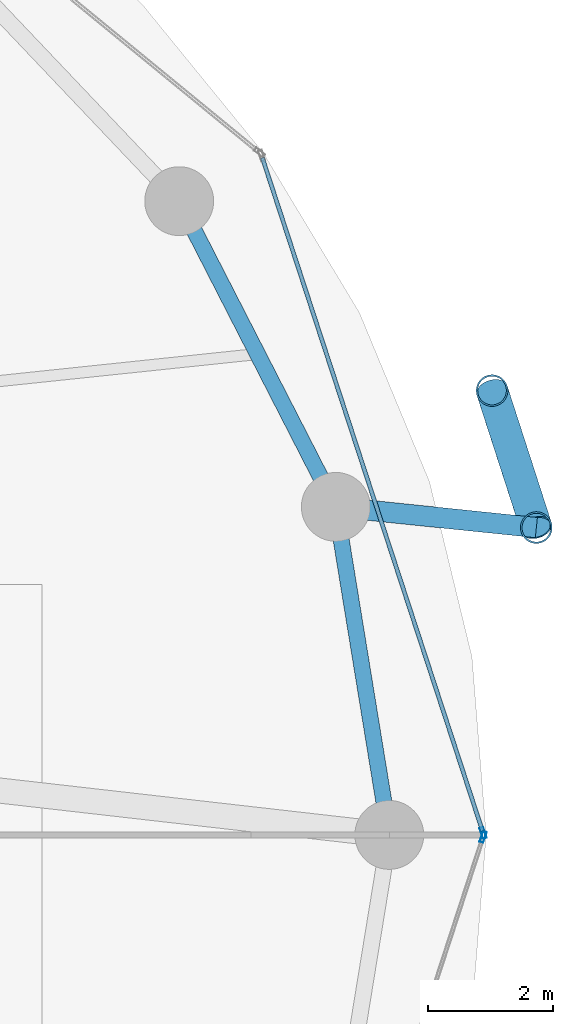
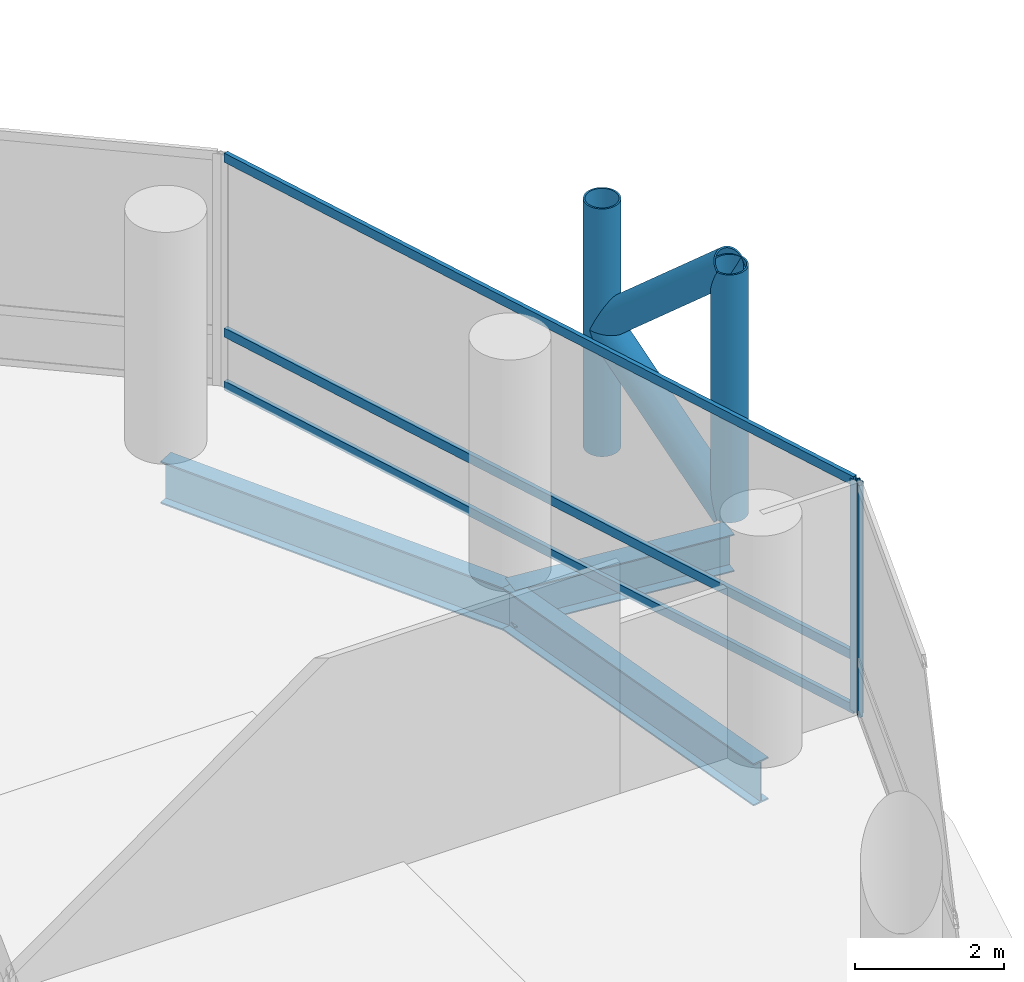
# One storey, part 12 of 24: 9 members, 3 beams, 2 elements without a shape of their own.
"""IFC4 building model written with IfcOpenShell, lengths in metres."""

from ifc_helpers import new_model, si_unit, direction, frame, origin, origin_2d, place, context, subcontext, project, spatial, hollow_rectangle, hollow_circle, i_section, extrude, material, layer, layer_set, material_profile, profile_set, type_object, element, aggregate, save


model = new_model("IFC4")

# Units and contexts
model_context = context("Model", 3, precision=1e-05, world=origin(), true_north=direction((0.0, 1.0)))
body_context = subcontext(model_context, "Body", "Model", "MODEL_VIEW")
ifc_project = project(units=[si_unit("LENGTHUNIT", "METRE"), si_unit("AREAUNIT", "SQUARE_METRE"), si_unit("VOLUMEUNIT", "CUBIC_METRE"), si_unit("PLANEANGLEUNIT", "RADIAN"), si_unit("MASSUNIT", "GRAM", prefix="KILO")], contexts=[model_context])

# Site, building, storey
site_placement = place(None, origin())
site = spatial("IfcSite", under=ifc_project, at=site_placement, CompositionType="ELEMENT")
building_placement = place(site_placement, origin())
building = spatial("IfcBuilding", under=site, at=building_placement, Name="Nuhasar Tower", CompositionType="ELEMENT")
storey_placement = place(building_placement, frame((0.0, 0.0, 37.199951171875)))
storey = spatial("IfcBuildingStorey", under=building, at=storey_placement, Name="L08", CompositionType="ELEMENT", Elevation=37.199951171875)

# Beams
ifc_material_1 = material(Name="Steel S355", Category="steel")
ifc_material_profile_1 = material_profile(ifc_material_1, i_section(OverallWidth=0.256103515625, OverallDepth=0.693115234375, WebThickness=0.014404296875, FlangeThickness=0.023681640625, at=origin_2d()), Name="W27X114")
ifc_profile_set_1 = profile_set([ifc_material_profile_1], Name="Steel S355")
beam_type_1 = type_object("IfcBeamType", Name="BM-RING-W27X114", PredefinedType="SPANDREL", material=ifc_profile_set_1)
beam_1_placement = place(storey_placement, frame((64.050048828125, 26.800048828125, -0.60693359375), z_axis=(-0.160826635486, 0.986982671235, 0.0), x_axis=(-0.986982671235, -0.160826635486, 0.0)))
element("IfcBeam", 1, at=beam_1_placement, inside=storey, type_object=beam_type_1, Name="L08 Perimeter Ring Spandrel 01", PredefinedType="SPANDREL", context=body_context, shape_type="SweptSolid", body=[
    extrude(i_section(OverallWidth=0.256103515625, OverallDepth=0.693115234375, WebThickness=0.014404296875, FlangeThickness=0.023681640625, at=origin_2d()), origin(), (0.0, 0.0, 1.0), 5.31005859375),
])
beam_2_placement = place(storey_placement, frame((63.196044921875, 32.041015625, -0.60693359375), z_axis=(-0.455930023905, 0.890015625314, 0.0), x_axis=(-0.890015625314, -0.455930023905, 0.0)))
element("IfcBeam", 2, at=beam_2_placement, inside=storey, type_object=beam_type_1, Name="L08 Perimeter Ring Spandrel 02", PredefinedType="SPANDREL", context=body_context, shape_type="SweptSolid", body=[
    extrude(i_section(OverallWidth=0.256103515625, OverallDepth=0.693115234375, WebThickness=0.014404296875, FlangeThickness=0.023681640625, at=origin_2d()), origin(), (0.0, 0.0, 1.0), 5.487548828125),
])
ifc_material_profile_2 = material_profile(ifc_material_1, i_section(OverallWidth=0.323974609375, OverallDepth=0.611083984375, WebThickness=0.0126953125, FlangeThickness=0.01904296875, at=origin_2d()), Name="W24X104")
ifc_profile_set_2 = profile_set([ifc_material_profile_2], Name="Steel S355")
beam_type_2 = type_object("IfcBeamType", Name="BM-TIE-W24X104", PredefinedType="BEAM", material=ifc_profile_set_2)
beam_3_placement = place(storey_placement, frame((63.196044921875, 32.041015625, -0.56591796875), z_axis=(0.994703825606, -0.102782777377, 0.0), x_axis=(0.102782777377, 0.994703825606, 0.0)))
element("IfcBeam", 3, at=beam_3_placement, inside=storey, type_object=beam_type_2, Name="L08 Exoskeleton Node Tie Beam 01", PredefinedType="BEAM", context=body_context, shape_type="SweptSolid", body=[
    extrude(i_section(OverallWidth=0.323974609375, OverallDepth=0.611083984375, WebThickness=0.0126953125, FlangeThickness=0.01904296875, at=origin_2d()), origin(), (0.0, 0.0, 1.0), 3.220947265625),
])

# Curtain wall, member
ifc_material_2 = material(Name="Aluminium 6063-T6", Category="aluminium")
ifc_layer = layer(ifc_material_2, 0.199951171875)
ifc_layer_set = layer_set([ifc_layer], Name="Aluminium 6063-T6")
curtain_wall_type = type_object("IfcCurtainWallType", Name="CW-Z1-OFF", PredefinedType="NOTDEFINED", material=ifc_layer_set)
curtain_wall_1_placement = place(storey_placement, origin())
curtain_wall_1 = element("IfcCurtainWall", 4, at=curtain_wall_1_placement, inside=storey, type_object=curtain_wall_type, Name="L08 Unitised Curtain Wall 01", PredefinedType="NOTDEFINED")
ifc_material_profile_3 = material_profile(ifc_material_2, hollow_rectangle(XDim=0.06494140625, YDim=0.179931640625, WallThickness=0.0048828125, at=origin_2d()), Name="CWM-2")
ifc_profile_set_3 = profile_set([ifc_material_profile_3], Name="Aluminium 6063-T6")
member_type_1 = type_object("IfcMemberType", Name="CW-MUL-S2", PredefinedType="MULLION", material=ifc_profile_set_3)
member_1_placement = place(storey_placement, frame((65.5498046875, 26.830810546875, 0.0), z_axis=(0.0, 0.0, 1.0), x_axis=(-0.950467534571, -0.310823849997, 0.0)))
member_1 = element("IfcMember", 5, at=member_1_placement, type_object=member_type_1, Name="CW-Z1 mullion 1", PredefinedType="MULLION", context=body_context, shape_type="SweptSolid", body=[
    extrude(hollow_rectangle(XDim=0.06494140625, YDim=0.179931640625, WallThickness=0.0048828125, at=origin_2d()), origin(), (0.0, 0.0, 1.0), 3.7900390625),
])

curtain_wall_2_placement = place(storey_placement, origin())
curtain_wall_2 = element("IfcCurtainWall", 6, at=curtain_wall_2_placement, inside=storey, type_object=curtain_wall_type, Name="L08 Unitised Curtain Wall 12", PredefinedType="NOTDEFINED")
member_2_placement = place(storey_placement, frame((65.5498046875, 26.76904296875, 0.0), z_axis=(0.0, 0.0, 1.0), x_axis=(-0.950467534571, 0.310823849997, 0.0)))
member_2 = element("IfcMember", 7, at=member_2_placement, type_object=member_type_1, Name="CW-Z1 mullion 2", PredefinedType="MULLION", context=body_context, shape_type="SweptSolid", body=[
    extrude(hollow_rectangle(XDim=0.06494140625, YDim=0.179931640625, WallThickness=0.0048828125, at=origin_2d()), origin(), (0.0, 0.0, 1.0), 3.7900390625),
])
aggregate(curtain_wall_2, [member_2])

# Member
ifc_material_profile_4 = material_profile(ifc_material_2, hollow_rectangle(XDim=0.06494140625, YDim=0.14990234375, WallThickness=0.00439453125, at=origin_2d()), Name="CWT-2")
ifc_profile_set_4 = profile_set([ifc_material_profile_4], Name="Aluminium 6063-T6")
member_type_2 = type_object("IfcMemberType", Name="CW-TRN-S2", PredefinedType="USERDEFINED", material=ifc_profile_set_4)
member_3_placement = place(storey_placement, frame((65.539794921875, 26.86181640625, 0.032470703125), z_axis=(-0.31082506089, 0.950467138581, 0.0), x_axis=(-0.950467138581, -0.31082506089, 0.0)))
member_3 = element("IfcMember", 8, at=member_3_placement, type_object=member_type_2, Name="CW-Z1 transom 1.1", ObjectType="TRANSOM", PredefinedType="USERDEFINED", context=body_context, shape_type="SweptSolid", body=[
    extrude(hollow_rectangle(XDim=0.06494140625, YDim=0.14990234375, WallThickness=0.00439453125, at=origin_2d()), origin(), (0.0, 0.0, 1.0), 11.31689453125),
])

member_4_placement = place(storey_placement, frame((65.539794921875, 26.86181640625, 0.900146484375), z_axis=(-0.31082506089, 0.950467138581, 0.0), x_axis=(-0.950467138581, -0.31082506089, 0.0)))
member_4 = element("IfcMember", 9, at=member_4_placement, type_object=member_type_2, Name="CW-Z1 transom 1.2", ObjectType="TRANSOM", PredefinedType="USERDEFINED", context=body_context, shape_type="SweptSolid", body=[
    extrude(hollow_rectangle(XDim=0.06494140625, YDim=0.14990234375, WallThickness=0.00439453125, at=origin_2d()), origin(), (0.0, 0.0, 1.0), 11.31689453125),
])

member_5_placement = place(storey_placement, frame((65.539794921875, 26.86181640625, 3.757568359375), z_axis=(-0.31082506089, 0.950467138581, 0.0), x_axis=(-0.950467138581, -0.31082506089, 0.0)))
member_5 = element("IfcMember", 10, at=member_5_placement, type_object=member_type_2, Name="CW-Z1 transom 1.3", ObjectType="TRANSOM", PredefinedType="USERDEFINED", context=body_context, shape_type="SweptSolid", body=[
    extrude(hollow_rectangle(XDim=0.06494140625, YDim=0.14990234375, WallThickness=0.00439453125, at=origin_2d()), origin(), (0.0, 0.0, 1.0), 11.31689453125),
])

aggregate(curtain_wall_1, [member_1, member_3, member_4, member_5])

# Members
ifc_material_3 = material(Name="Steel S460", Category="steel")
ifc_material_profile_5 = material_profile(ifc_material_3, hollow_circle(Radius=0.25390625, WallThickness=0.025390625, at=origin_2d()), Name="HSS508X25.4")
ifc_profile_set_5 = profile_set([ifc_material_profile_5], Name="Steel S460")
member_type_3 = type_object("IfcMemberType", Name="EXO-BRONZE-508", PredefinedType="BRACE", material=ifc_profile_set_5)
for number, where, z_axis, x_axis, name in (
    (11, (66.39990234375, 31.7099609375, 0.0), (0.0, 0.0, 1.0), (1.0, 0.0, 0.0), "L08 Exoskeleton Chord Column EC-01A"),
    (12, (65.69189453125, 33.89892578125, 0.0), (0.0, 0.0, 1.0), (1.0, 0.0, 0.0), "L08 Exoskeleton Chord Column EC-01B"),
):
    element("IfcMember", number, at=place(storey_placement, frame(where, z_axis=z_axis, x_axis=x_axis)), inside=storey, type_object=member_type_3, Name=name, PredefinedType="BRACE", context=body_context, shape_type="SweptSolid", body=[
        extrude(hollow_circle(Radius=0.25390625, WallThickness=0.025390625, at=origin_2d()), origin(), (0.0, 0.0, 1.0), 4.050048828125),
    ])
member_6_placement = place(storey_placement, frame((66.39990234375, 31.7099609375, 0.0), z_axis=(-0.230999678299, 0.714187281251, 0.660738734997), x_axis=(-0.951468282519, -0.307746823478, 0.0)))
element("IfcMember", 13, at=member_6_placement, inside=storey, type_object=member_type_3, Name="L08 Bronze Diagrid Brace W1-01", PredefinedType="BRACE", context=body_context, shape_type="SweptSolid", body=[
    extrude(hollow_circle(Radius=0.25390625, WallThickness=0.025390625, at=origin_2d()), origin(), (0.0, 0.0, 1.0), 3.06494140625),
])
member_7_placement = place(storey_placement, frame((65.69189453125, 33.89892578125, 2.025146484375), z_axis=(0.231011836313, -0.714224870475, 0.660693851854), x_axis=(0.951468282519, 0.307746823478, 0.0)))
element("IfcMember", 14, at=member_7_placement, inside=storey, type_object=member_type_3, Name="L08 Bronze Diagrid Brace W2-01", PredefinedType="BRACE", context=body_context, shape_type="SweptSolid", body=[
    extrude(hollow_circle(Radius=0.25390625, WallThickness=0.025390625, at=origin_2d()), origin(), (0.0, 0.0, 1.0), 3.064697265625),
])

save(model, "model.ifc")
